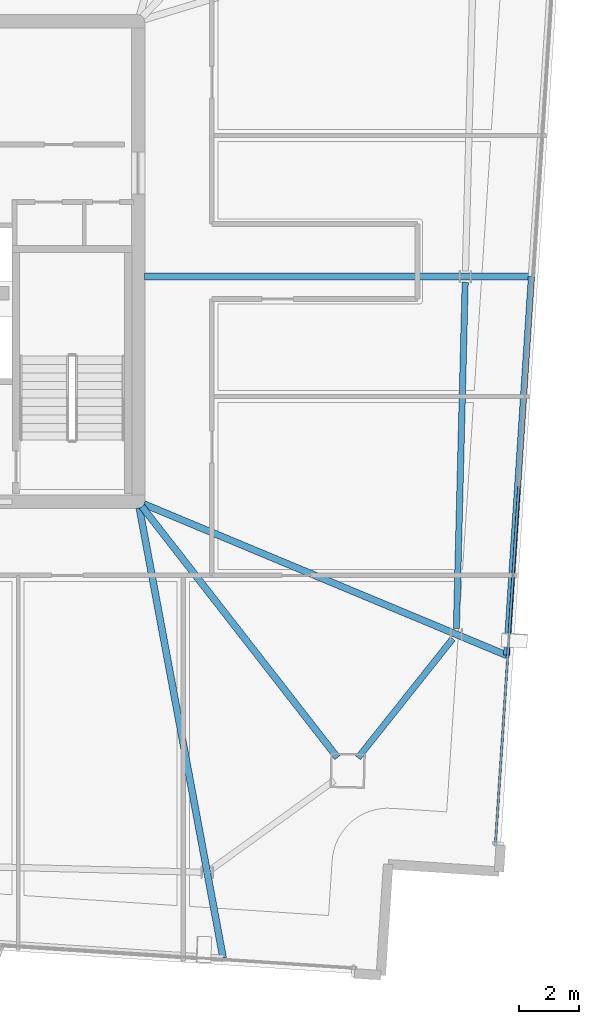
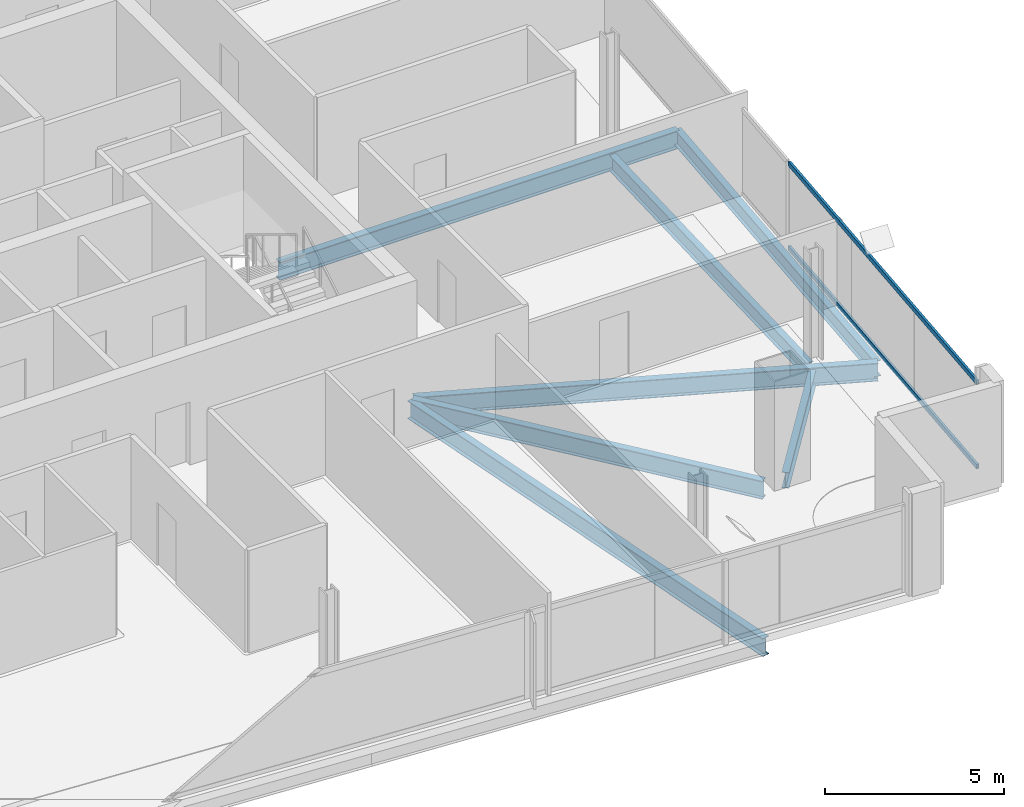
# One storey, part 9 of 24: 7 beams, 2 members, 1 element without a shape of its own.
"""IFC4 building model written with IfcOpenShell, lengths in metres."""

from ifc_helpers import new_model, si_unit, direction, frame, origin, origin_2d, place, context, subcontext, project, spatial, hollow_rectangle, i_section, extrude, material, material_profile, profile_set, type_object, element, aggregate, save


model = new_model("IFC4")

# Units and contexts
model_context = context("Model", 3, precision=1e-05, world=origin(), true_north=direction((0.0, 1.0)))
body_context = subcontext(model_context, "Body", "Model", "MODEL_VIEW")
ifc_project = project(units=[si_unit("LENGTHUNIT", "METRE"), si_unit("AREAUNIT", "SQUARE_METRE"), si_unit("VOLUMEUNIT", "CUBIC_METRE"), si_unit("PLANEANGLEUNIT", "RADIAN"), si_unit("MASSUNIT", "GRAM", prefix="KILO")], contexts=[model_context])

# Site, building, storey
site_placement = place(None, origin())
site = spatial("IfcSite", under=ifc_project, at=site_placement, CompositionType="ELEMENT")
building_placement = place(site_placement, origin())
building = spatial("IfcBuilding", under=site, at=building_placement, Name="Haldenkirk Collegiate Tower", CompositionType="ELEMENT")
storey_placement = place(building_placement, frame((0.0, 0.0, 317.699951171875)))
storey = spatial("IfcBuildingStorey", under=building, at=storey_placement, Name="L80", CompositionType="ELEMENT", Elevation=317.699951171875)

# Beams
ifc_material_1 = material(Name="Steel ASTM A992 Grade 50", Category="steel")
ifc_material_profile_1 = material_profile(ifc_material_1, i_section(OverallWidth=0.22998046875, OverallDepth=0.616943359375, WebThickness=0.01318359375, FlangeThickness=0.022216796875, at=origin_2d()), Name="W24X94")
ifc_profile_set_1 = profile_set([ifc_material_profile_1], Name="Steel ASTM A992 Grade 50")
beam_type_1 = type_object("IfcBeamType", Name="BM-GIRDER-W24X94", PredefinedType="BEAM", material=ifc_profile_set_1)
beam_1_placement = place(storey_placement, frame((51.635009765625, 9.478271484375, -0.568359375), z_axis=(-0.614347328176, 0.789035715518, 0.0), x_axis=(-0.789035715518, -0.614347328176, 0.0)))
element("IfcBeam", 1, at=beam_1_placement, inside=storey, type_object=beam_type_1, Name="L80 primary floor girder 01", PredefinedType="BEAM", context=body_context, shape_type="SweptSolid", body=[
    extrude(i_section(OverallWidth=0.22998046875, OverallDepth=0.616943359375, WebThickness=0.01318359375, FlangeThickness=0.022216796875, at=origin_2d()), origin(), (0.0, 0.0, 1.0), 10.594970703125),
])
beam_2_placement = place(storey_placement, frame((57.267822265625, 12.8857421875, -0.568359375), z_axis=(-0.923005151751, 0.38478759055, 0.0), x_axis=(-0.38478759055, -0.923005151751, 0.0)))
element("IfcBeam", 2, at=beam_2_placement, inside=storey, type_object=beam_type_1, Name="L80 primary floor girder 05", PredefinedType="BEAM", context=body_context, shape_type="SweptSolid", body=[
    extrude(i_section(OverallWidth=0.22998046875, OverallDepth=0.616943359375, WebThickness=0.01318359375, FlangeThickness=0.022216796875, at=origin_2d()), origin(), (0.0, 0.0, 1.0), 13.086181640625),
])
beam_3_placement = place(storey_placement, frame((58.094482421875, 25.496337890625, -0.568359375), z_axis=(-1.0, 0.0, 0.0), x_axis=(0.0, -1.0, 0.0)))
element("IfcBeam", 3, at=beam_3_placement, inside=storey, type_object=beam_type_1, Name="L80 primary floor girder 06", PredefinedType="BEAM", context=body_context, shape_type="SweptSolid", body=[
    extrude(i_section(OverallWidth=0.22998046875, OverallDepth=0.616943359375, WebThickness=0.01318359375, FlangeThickness=0.022216796875, at=origin_2d()), origin(), (0.0, 0.0, 1.0), 12.889404296875),
])
beam_4_placement = place(storey_placement, frame((47.829345703125, 2.796630859375, -0.568359375), z_axis=(-0.182951430955, 0.983121952716, 0.0), x_axis=(-0.983121952716, -0.182951430955, 0.0)))
element("IfcBeam", 4, at=beam_4_placement, inside=storey, type_object=beam_type_1, Name="L80 primary floor girder 16", PredefinedType="BEAM", context=body_context, shape_type="SweptSolid", body=[
    extrude(i_section(OverallWidth=0.22998046875, OverallDepth=0.616943359375, WebThickness=0.01318359375, FlangeThickness=0.022216796875, at=origin_2d()), origin(), (0.0, 0.0, 1.0), 15.259521484375),
])
ifc_material_profile_2 = material_profile(ifc_material_1, i_section(OverallWidth=0.2099609375, OverallDepth=0.537109375, WebThickness=0.010986328125, FlangeThickness=0.017333984375, at=origin_2d()), Name="W21X68")
ifc_profile_set_2 = profile_set([ifc_material_profile_2], Name="Steel ASTM A992 Grade 50")
beam_type_2 = type_object("IfcBeamType", Name="BM-SPANDREL-W21X68", PredefinedType="SPANDREL", material=ifc_profile_set_2)
beam_5_placement = place(storey_placement, frame((52.321533203125, 9.474609375, -0.528564453125), z_axis=(0.622700032294, 0.782460650628, 0.0), x_axis=(-0.782460650628, 0.622700032294, 0.0)))
element("IfcBeam", 5, at=beam_5_placement, inside=storey, type_object=beam_type_2, Name="L80 perimeter spandrel beam 01", PredefinedType="SPANDREL", context=body_context, shape_type="SweptSolid", body=[
    extrude(i_section(OverallWidth=0.2099609375, OverallDepth=0.537109375, WebThickness=0.010986328125, FlangeThickness=0.017333984375, at=origin_2d()), origin(), (0.0, 0.0, 1.0), 5.064453125),
])
beam_6_placement = place(storey_placement, frame((55.596923828125, 13.772216796875, -0.528564453125), z_axis=(0.025302458902, 0.999679841536, 0.0), x_axis=(-0.999679841536, 0.025302458902, 0.0)))
element("IfcBeam", 6, at=beam_6_placement, inside=storey, type_object=beam_type_2, Name="L80 perimeter spandrel beam 02", PredefinedType="SPANDREL", context=body_context, shape_type="SweptSolid", body=[
    extrude(i_section(OverallWidth=0.2099609375, OverallDepth=0.537109375, WebThickness=0.010986328125, FlangeThickness=0.017333984375, at=origin_2d()), origin(), (0.0, 0.0, 1.0), 11.5400390625),
])
beam_7_placement = place(storey_placement, frame((57.267822265625, 12.8857421875, -0.528564453125), z_axis=(0.065412430058, 0.997858313587, 0.0), x_axis=(-0.997858313587, 0.065412430058, 0.0)))
element("IfcBeam", 7, at=beam_7_placement, inside=storey, type_object=beam_type_2, Name="L80 outer facade edge beam 1A", PredefinedType="SPANDREL", context=body_context, shape_type="SweptSolid", body=[
    extrude(i_section(OverallWidth=0.2099609375, OverallDepth=0.537109375, WebThickness=0.010986328125, FlangeThickness=0.017333984375, at=origin_2d()), origin(), (0.0, 0.0, 1.0), 12.6376953125),
])

# Curtain wall, members
ifc_material_2 = material(Name="Anodised architectural bronze aluminium", Category="aluminium")
curtain_wall_type = type_object("IfcCurtainWallType", Name="CW-SYS2-CONCAVE", PredefinedType="USERDEFINED", material=ifc_material_2)
curtain_wall_placement = place(storey_placement, origin())
curtain_wall = element("IfcCurtainWall", 8, at=curtain_wall_placement, inside=storey, type_object=curtain_wall_type, Name="L80 South concave recessed bronze-anodised curtain wall", ObjectType="UNITISED CURTAIN WALL", PredefinedType="USERDEFINED")
ifc_material_profile_3 = material_profile(ifc_material_2, hollow_rectangle(XDim=0.074951171875, YDim=0.159912109375, WallThickness=0.0048828125, at=origin_2d()), Name="CW-TRN-02")
ifc_profile_set_3 = profile_set([ifc_material_profile_3], Name="Anodised architectural bronze aluminium")
member_type = type_object("IfcMemberType", Name="CW-TRN-02", PredefinedType="USERDEFINED", material=ifc_profile_set_3)
member_1_placement = place(storey_placement, frame((57.677734375, 18.52880859375, 0.03759765625), z_axis=(-0.065391672716, -0.997859674072, 0.0), x_axis=(0.997859674072, -0.065391672716, 0.0)))
member_1 = element("IfcMember", 9, at=member_1_placement, type_object=member_type, Name="CW-02 transom 3.1", ObjectType="TRANSOM", PredefinedType="USERDEFINED", context=body_context, shape_type="SweptSolid", body=[
    extrude(hollow_rectangle(XDim=0.074951171875, YDim=0.159912109375, WallThickness=0.0048828125, at=origin_2d()), origin(), (0.0, 0.0, 1.0), 11.887451171875),
])
member_2_placement = place(storey_placement, frame((57.677734375, 18.52880859375, 2.91064453125), z_axis=(-0.065391672716, -0.997859674072, 0.0), x_axis=(0.997859674072, -0.065391672716, 0.0)))
member_2 = element("IfcMember", 10, at=member_2_placement, type_object=member_type, Name="CW-02 transom 3.2", ObjectType="TRANSOM", PredefinedType="USERDEFINED", context=body_context, shape_type="SweptSolid", body=[
    extrude(hollow_rectangle(XDim=0.074951171875, YDim=0.159912109375, WallThickness=0.0048828125, at=origin_2d()), origin(), (0.0, 0.0, 1.0), 11.887451171875),
])
aggregate(curtain_wall, [member_1, member_2])

save(model, "model.ifc")
